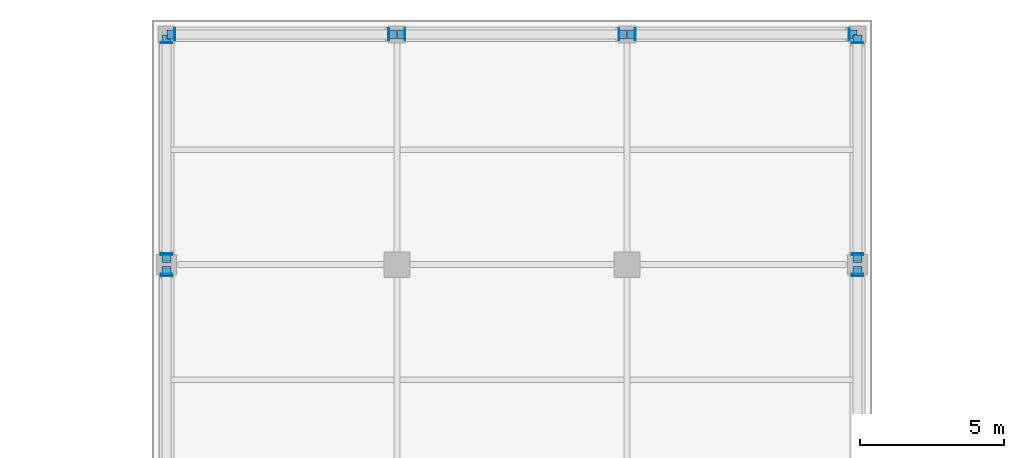
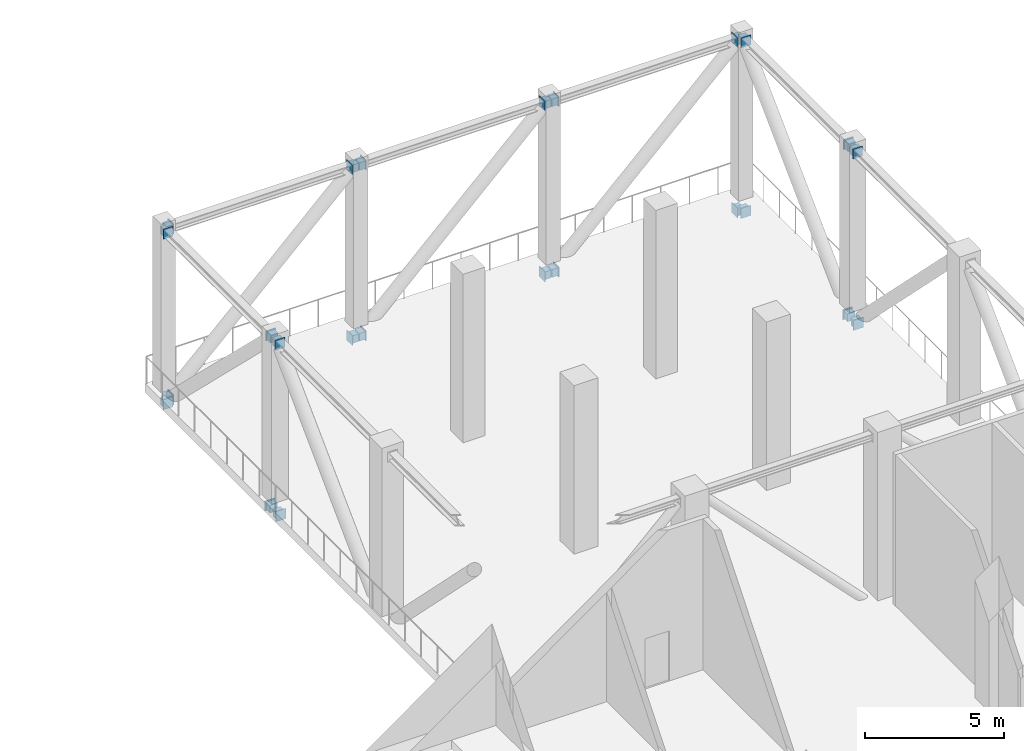
# One storey, part 13 of 18: 48 discrete accessories.
"""IFC4 building model written with IfcOpenShell, lengths in metres."""

from ifc_helpers import new_model, si_unit, direction, frame, origin, origin_2d, place, context, subcontext, project, spatial, rectangle, extrude, material, layer, layer_set, type_object, element, save


model = new_model("IFC4")

# Units and contexts
model_context = context("Model", 3, precision=1e-05, world=origin(), true_north=direction((0.0, 1.0)))
body_context = subcontext(model_context, "Body", "Model", "MODEL_VIEW")
ifc_project = project(units=[si_unit("LENGTHUNIT", "METRE"), si_unit("AREAUNIT", "SQUARE_METRE"), si_unit("VOLUMEUNIT", "CUBIC_METRE"), si_unit("PLANEANGLEUNIT", "RADIAN"), si_unit("MASSUNIT", "GRAM", prefix="KILO")], contexts=[model_context])

# Site, building, storey
site_placement = place(None, origin())
site = spatial("IfcSite", under=ifc_project, at=site_placement, CompositionType="ELEMENT")
building_placement = place(site_placement, origin())
building = spatial("IfcBuilding", under=site, at=building_placement, Name="Crosswind Convention Tower", CompositionType="ELEMENT")
storey_placement = place(building_placement, frame((0.0, 0.0, 105.300048828125)))
storey = spatial("IfcBuildingStorey", under=building, at=storey_placement, Name="L21", CompositionType="ELEMENT", Elevation=105.300048828125)

# Discrete accessories
ifc_material = material(Name="Steel S355", Category="steel")
ifc_layer = layer(ifc_material, 0.030029296875)
ifc_layer_set = layer_set([ifc_layer], Name="Steel S355")
discrete_accessory_type_1 = type_object("IfcDiscreteAccessoryType", Name="Cast-in plate 414 x 440 x 30", PredefinedType="ANCHORPLATE", material=ifc_layer_set)
for number, where, z_axis, x_axis, name in (
    (1, (113.0, 127.614990234375, -0.7900390625), (0.0, 0.0, 1.0), (1.0, 0.0, 0.0), "EP1 L21 cast-in plate"),
    (2, (113.0, 127.6650390625, 6.7099609375), (0.0, 0.0, 1.0), (1.0, 0.0, 0.0), "EP1 L21 cast-in plate"),
    (3, (113.0, 128.385009765625, -0.7900390625), (0.0, 0.0, 1.0), (1.0, 0.0, 0.0), "EP1 L21 cast-in plate"),
    (4, (113.0, 135.715087890625, -0.7900390625), (0.0, 0.0, 1.0), (1.0, 0.0, 0.0), "EP1 L21 cast-in plate"),
    (5, (113.0, 128.3349609375, 6.7099609375), (0.0, 0.0, 1.0), (1.0, 0.0, 0.0), "EP1 L21 cast-in plate"),
    (6, (113.0, 135.715087890625, 6.7099609375), (0.0, 0.0, 1.0), (1.0, 0.0, 0.0), "EP1 L21 cast-in plate"),
):
    element("IfcDiscreteAccessory", number, at=place(storey_placement, frame(where, z_axis=z_axis, x_axis=x_axis)), inside=storey, type_object=discrete_accessory_type_1, Name=name, PredefinedType="ANCHORPLATE", context=body_context, shape_type="SweptSolid", body=[
        extrude(rectangle(XDim=0.4140625, YDim=0.030029296875, at=origin_2d()), origin(), (0.0, 0.0, 1.0), 0.43994140625),
    ])
for number, where, z_axis, x_axis, name in (
    (7, (113.284912109375, 136.0, -0.7900390625), (0.0, 0.0, 1.0), (1.0, 0.0, 0.0), "EP1 L21 cast-in plate"),
    (8, (120.715087890625, 136.0, -0.7900390625), (0.0, 0.0, 1.0), (1.0, 0.0, 0.0), "EP1 L21 cast-in plate"),
    (9, (113.284912109375, 136.0, 6.7099609375), (0.0, 0.0, 1.0), (1.0, 0.0, 0.0), "EP1 L21 cast-in plate"),
    (10, (120.715087890625, 136.0, 6.7099609375), (0.0, 0.0, 1.0), (1.0, 0.0, 0.0), "EP1 L21 cast-in plate"),
    (11, (121.284912109375, 136.0, -0.7900390625), (0.0, 0.0, 1.0), (1.0, 0.0, 0.0), "EP1 L21 cast-in plate"),
    (12, (128.715087890625, 136.0, -0.7900390625), (0.0, 0.0, 1.0), (1.0, 0.0, 0.0), "EP1 L21 cast-in plate"),
    (13, (121.284912109375, 136.0, 6.7099609375), (0.0, 0.0, 1.0), (1.0, 0.0, 0.0), "EP1 L21 cast-in plate"),
    (14, (128.715087890625, 136.0, 6.7099609375), (0.0, 0.0, 1.0), (1.0, 0.0, 0.0), "EP1 L21 cast-in plate"),
    (15, (129.284912109375, 136.0, -0.7900390625), (0.0, 0.0, 1.0), (1.0, 0.0, 0.0), "EP1 L21 cast-in plate"),
    (16, (136.715087890625, 136.0, -0.7900390625), (0.0, 0.0, 1.0), (1.0, 0.0, 0.0), "EP1 L21 cast-in plate"),
    (17, (129.284912109375, 136.0, 6.7099609375), (0.0, 0.0, 1.0), (1.0, 0.0, 0.0), "EP1 L21 cast-in plate"),
    (18, (136.715087890625, 136.0, 6.7099609375), (0.0, 0.0, 1.0), (1.0, 0.0, 0.0), "EP1 L21 cast-in plate"),
):
    element("IfcDiscreteAccessory", number, at=place(storey_placement, frame(where, z_axis=z_axis, x_axis=x_axis)), inside=storey, type_object=discrete_accessory_type_1, Name=name, PredefinedType="ANCHORPLATE", context=body_context, shape_type="SweptSolid", body=[
        extrude(rectangle(XDim=0.030029296875, YDim=0.4140625, at=origin_2d()), origin(), (0.0, 0.0, 1.0), 0.43994140625),
    ])
for number, where, z_axis, x_axis, name in (
    (19, (137.0, 127.614990234375, -0.7900390625), (0.0, 0.0, 1.0), (1.0, 0.0, 0.0), "EP1 L21 cast-in plate"),
    (20, (137.0, 127.6650390625, 6.7099609375), (0.0, 0.0, 1.0), (1.0, 0.0, 0.0), "EP1 L21 cast-in plate"),
    (21, (137.0, 128.385009765625, -0.7900390625), (0.0, 0.0, 1.0), (1.0, 0.0, 0.0), "EP1 L21 cast-in plate"),
    (22, (137.0, 135.715087890625, -0.7900390625), (0.0, 0.0, 1.0), (1.0, 0.0, 0.0), "EP1 L21 cast-in plate"),
    (23, (137.0, 128.3349609375, 6.7099609375), (0.0, 0.0, 1.0), (1.0, 0.0, 0.0), "EP1 L21 cast-in plate"),
    (24, (137.0, 135.715087890625, 6.7099609375), (0.0, 0.0, 1.0), (1.0, 0.0, 0.0), "EP1 L21 cast-in plate"),
):
    element("IfcDiscreteAccessory", number, at=place(storey_placement, frame(where, z_axis=z_axis, x_axis=x_axis)), inside=storey, type_object=discrete_accessory_type_1, Name=name, PredefinedType="ANCHORPLATE", context=body_context, shape_type="SweptSolid", body=[
        extrude(rectangle(XDim=0.4140625, YDim=0.030029296875, at=origin_2d()), origin(), (0.0, 0.0, 1.0), 0.43994140625),
    ])
discrete_accessory_type_2 = type_object("IfcDiscreteAccessoryType", Name="Headed stud group 314 x 340 x 250", PredefinedType="USERDEFINED", material=ifc_material)
for number, where, z_axis, x_axis, name in (
    (25, (113.0, 127.7548828125, -0.739990234375), (0.0, 0.0, 1.0), (1.0, 0.0, 0.0), "AB1 L21 headed stud group"),
    (26, (113.0, 127.804931640625, 6.760009765625), (0.0, 0.0, 1.0), (1.0, 0.0, 0.0), "AB1 L21 headed stud group"),
    (27, (113.0, 128.2451171875, -0.739990234375), (0.0, 0.0, 1.0), (1.0, 0.0, 0.0), "AB1 L21 headed stud group"),
    (28, (113.0, 135.85498046875, -0.739990234375), (0.0, 0.0, 1.0), (1.0, 0.0, 0.0), "AB1 L21 headed stud group"),
    (29, (113.0, 128.195068359375, 6.760009765625), (0.0, 0.0, 1.0), (1.0, 0.0, 0.0), "AB1 L21 headed stud group"),
    (30, (113.0, 135.85498046875, 6.760009765625), (0.0, 0.0, 1.0), (1.0, 0.0, 0.0), "AB1 L21 headed stud group"),
):
    element("IfcDiscreteAccessory", number, at=place(storey_placement, frame(where, z_axis=z_axis, x_axis=x_axis)), inside=storey, type_object=discrete_accessory_type_2, Name=name, ObjectType="HEADED STUD GROUP", PredefinedType="USERDEFINED", context=body_context, shape_type="SweptSolid", body=[
        extrude(rectangle(XDim=0.314208984375, YDim=0.25, at=origin_2d()), origin(), (0.0, 0.0, 1.0), 0.33984375),
    ])
for number, where, z_axis, x_axis, name in (
    (31, (113.14501953125, 136.0, -0.739990234375), (0.0, 0.0, 1.0), (1.0, 0.0, 0.0), "AB1 L21 headed stud group"),
    (32, (120.85498046875, 136.0, -0.739990234375), (0.0, 0.0, 1.0), (1.0, 0.0, 0.0), "AB1 L21 headed stud group"),
    (33, (113.14501953125, 136.0, 6.760009765625), (0.0, 0.0, 1.0), (1.0, 0.0, 0.0), "AB1 L21 headed stud group"),
    (34, (120.85498046875, 136.0, 6.760009765625), (0.0, 0.0, 1.0), (1.0, 0.0, 0.0), "AB1 L21 headed stud group"),
    (35, (121.14501953125, 136.0, -0.739990234375), (0.0, 0.0, 1.0), (1.0, 0.0, 0.0), "AB1 L21 headed stud group"),
    (36, (128.85498046875, 136.0, -0.739990234375), (0.0, 0.0, 1.0), (1.0, 0.0, 0.0), "AB1 L21 headed stud group"),
    (37, (121.14501953125, 136.0, 6.760009765625), (0.0, 0.0, 1.0), (1.0, 0.0, 0.0), "AB1 L21 headed stud group"),
    (38, (128.85498046875, 136.0, 6.760009765625), (0.0, 0.0, 1.0), (1.0, 0.0, 0.0), "AB1 L21 headed stud group"),
    (39, (129.14501953125, 136.0, -0.739990234375), (0.0, 0.0, 1.0), (1.0, 0.0, 0.0), "AB1 L21 headed stud group"),
    (40, (136.85498046875, 136.0, -0.739990234375), (0.0, 0.0, 1.0), (1.0, 0.0, 0.0), "AB1 L21 headed stud group"),
    (41, (129.14501953125, 136.0, 6.760009765625), (0.0, 0.0, 1.0), (1.0, 0.0, 0.0), "AB1 L21 headed stud group"),
    (42, (136.85498046875, 136.0, 6.760009765625), (0.0, 0.0, 1.0), (1.0, 0.0, 0.0), "AB1 L21 headed stud group"),
):
    element("IfcDiscreteAccessory", number, at=place(storey_placement, frame(where, z_axis=z_axis, x_axis=x_axis)), inside=storey, type_object=discrete_accessory_type_2, Name=name, ObjectType="HEADED STUD GROUP", PredefinedType="USERDEFINED", context=body_context, shape_type="SweptSolid", body=[
        extrude(rectangle(XDim=0.25, YDim=0.314208984375, at=origin_2d()), origin(), (0.0, 0.0, 1.0), 0.33984375),
    ])
for number, where, z_axis, x_axis, name in (
    (43, (137.0, 127.7548828125, -0.739990234375), (0.0, 0.0, 1.0), (1.0, 0.0, 0.0), "AB1 L21 headed stud group"),
    (44, (137.0, 127.804931640625, 6.760009765625), (0.0, 0.0, 1.0), (1.0, 0.0, 0.0), "AB1 L21 headed stud group"),
    (45, (137.0, 128.2451171875, -0.739990234375), (0.0, 0.0, 1.0), (1.0, 0.0, 0.0), "AB1 L21 headed stud group"),
    (46, (137.0, 135.85498046875, -0.739990234375), (0.0, 0.0, 1.0), (1.0, 0.0, 0.0), "AB1 L21 headed stud group"),
    (47, (137.0, 128.195068359375, 6.760009765625), (0.0, 0.0, 1.0), (1.0, 0.0, 0.0), "AB1 L21 headed stud group"),
    (48, (137.0, 135.85498046875, 6.760009765625), (0.0, 0.0, 1.0), (1.0, 0.0, 0.0), "AB1 L21 headed stud group"),
):
    element("IfcDiscreteAccessory", number, at=place(storey_placement, frame(where, z_axis=z_axis, x_axis=x_axis)), inside=storey, type_object=discrete_accessory_type_2, Name=name, ObjectType="HEADED STUD GROUP", PredefinedType="USERDEFINED", context=body_context, shape_type="SweptSolid", body=[
        extrude(rectangle(XDim=0.314208984375, YDim=0.25, at=origin_2d()), origin(), (0.0, 0.0, 1.0), 0.33984375),
    ])

save(model, "model.ifc")
